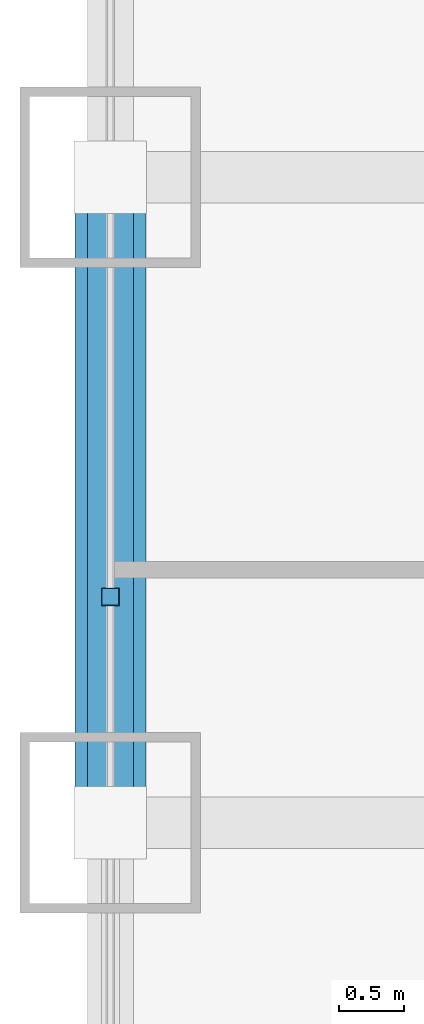
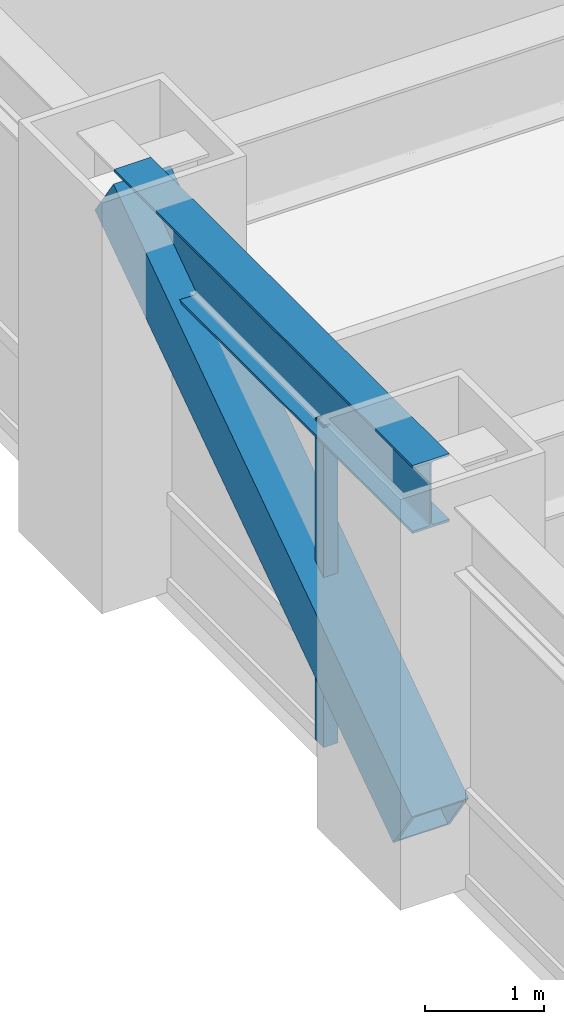
# One storey, part 6 of 28: 2 members, 1 beam, 1 element without a shape of its own.
"""IFC4 building model written with IfcOpenShell, lengths in metres."""

import ifcopenshell
import ifcopenshell.guid

model = None  # the IFC model being written
_history = None  # IfcOwnerHistory: only IFC2X3 demands one
_inside = {}  # id of a spatial element -> (the spatial element, [elements in it])
_under = {}  # id of a project, library or spatial element -> (it, [spatial elements below it])
_declared = {}  # id of a project -> (the project, [libraries it declares])
_typed = {}  # id of a type object -> (the type object, [elements of that type])
_made_of = {}  # id of a material, layer set ... -> (it, [elements and type objects made of it])


def new_model(schema):
    """Start an empty IFC model of exactly this schema.

    Asked for "IFC4X3", IfcOpenShell would pick the latest addendum, in which some entities
    have other attributes; the version numbers below select the first issue.
    IFC2X3 requires an IfcOwnerHistory on every rooted entity: one is made here for all.
    """
    global model, _history
    if schema == "IFC4X3":
        model = ifcopenshell.file(schema_version=(4, 3, 0, 0))
    else:
        model = ifcopenshell.file(schema=schema)
    _inside.clear()
    _under.clear()
    _declared.clear()
    _typed.clear()
    _made_of.clear()
    _history = None
    if model.schema == "IFC2X3":
        org = make("IfcOrganization", Name="unknown")
        user = make(
            "IfcPersonAndOrganization",
            ThePerson=make("IfcPerson", FamilyName="unknown"),
            TheOrganization=org,
        )
        app = make(
            "IfcApplication",
            ApplicationDeveloper=org,
            Version="unknown",
            ApplicationFullName="unknown",
            ApplicationIdentifier="unknown",
        )
        _history = make(
            "IfcOwnerHistory",
            OwningUser=user,
            OwningApplication=app,
            ChangeAction="ADDED",
            CreationDate=0,
        )
    return model


def make(cls, **values):
    """One entity of the class cls with the attributes given. An attribute that is None is left unset."""
    return model.create_entity(
        cls, **{name: value for name, value in values.items() if value is not None}
    )


def rooted(cls, **values):
    """An entity with a GlobalId (a new one), such as an element, a storey or a relation."""
    return make(cls, GlobalId=ifcopenshell.guid.new(), OwnerHistory=_history, **values)


def si_unit(unit_type, name, prefix=None):
    """IfcSIUnit, for example si_unit("LENGTHUNIT", "METRE", prefix="MILLI")."""
    return make("IfcSIUnit", UnitType=unit_type, Prefix=prefix, Name=name)


def assignment(units):
    """IfcUnitAssignment: the units of a project."""
    return None if units is None else make("IfcUnitAssignment", Units=units)


def point(xyz):
    """IfcCartesianPoint."""
    return None if xyz is None else make("IfcCartesianPoint", Coordinates=xyz)


def direction(xyz):
    """IfcDirection."""
    return None if xyz is None else make("IfcDirection", DirectionRatios=xyz)


def frame(location, z_axis=None, x_axis=None):
    """IfcAxis2Placement3D, a coordinate frame: its origin and axes. An axis left out is left unset."""
    return make(
        "IfcAxis2Placement3D",
        Location=point(location),
        Axis=direction(z_axis),
        RefDirection=direction(x_axis),
    )


def frame_2d(location, x_axis=None):
    """IfcAxis2Placement2D, a coordinate frame in the plane: its origin and x axis."""
    return make(
        "IfcAxis2Placement2D", Location=point(location), RefDirection=direction(x_axis)
    )


def origin():
    """The frame at (0, 0, 0) with its axes left unset."""
    return frame((0.0, 0.0, 0.0))


def origin_2d():
    """The frame at (0, 0) in the plane with its x axis left unset."""
    return frame_2d((0.0, 0.0))


def place(relative_to, where):
    """IfcLocalPlacement: puts the frame where relative to a parent placement (None: the world)."""
    return make(
        "IfcLocalPlacement", PlacementRelTo=relative_to, RelativePlacement=where
    )


def context(
    kind, dimensions, precision=None, world=None, true_north=None, identifier=None
):
    """IfcGeometricRepresentationContext, for example the 3D "Model" context."""
    return make(
        "IfcGeometricRepresentationContext",
        ContextIdentifier=identifier,
        ContextType=kind,
        CoordinateSpaceDimension=dimensions,
        Precision=precision,
        WorldCoordinateSystem=world,
        TrueNorth=true_north,
    )


def subcontext(parent, identifier, kind, view, scale=None):
    """IfcGeometricRepresentationSubContext, for example "Body" below "Model"."""
    return make(
        "IfcGeometricRepresentationSubContext",
        ContextIdentifier=identifier,
        ContextType=kind,
        ParentContext=parent,
        TargetScale=scale,
        TargetView=view,
    )


def project(units=None, contexts=None):
    """IfcProject with its units and contexts."""
    return rooted(
        "IfcProject",
        Name="project",
        RepresentationContexts=contexts,
        UnitsInContext=assignment(units),
    )


def spatial(cls, under=None, at=None, **own):
    """A site, building, storey or space (cls), placed at a placement, below another one or the project."""
    s = rooted(cls, ObjectPlacement=at, **own)
    if under is not None:
        _under.setdefault(under.id(), (under, []))[1].append(s)
    return s


def profile(cls, at=None, kind="AREA", **sizes):
    """A parametric profile (cls). Its sizes go by their IFC names, for example OverallWidth=200.0."""
    return make(cls, ProfileType=kind, Position=at, **sizes)


def hollow_rectangle(**sizes):
    """IfcRectangleHollowProfileDef."""
    return profile("IfcRectangleHollowProfileDef", **sizes)


def i_section(**sizes):
    """IfcIShapeProfileDef."""
    return profile("IfcIShapeProfileDef", **sizes)


def extrude(swept, where, along, depth):
    """IfcExtrudedAreaSolid: the profile swept, set in the frame where, extruded along a direction by depth."""
    return make(
        "IfcExtrudedAreaSolid",
        SweptArea=swept,
        Position=where,
        ExtrudedDirection=direction(along),
        Depth=depth,
    )


def shape(context_of_items, identifier, shape_type, items):
    """IfcShapeRepresentation: the items that make up one representation, for example the "Body"."""
    return make(
        "IfcShapeRepresentation",
        ContextOfItems=context_of_items,
        RepresentationIdentifier=identifier,
        RepresentationType=shape_type,
        Items=items,
    )


def source(mapping_origin, context_of_items, identifier, shape_type, items):
    """IfcRepresentationMap: a shape defined once, which mapped items show again and again."""
    return make(
        "IfcRepresentationMap",
        MappingOrigin=mapping_origin,
        MappedRepresentation=shape(context_of_items, identifier, shape_type, items),
    )


def transform(
    local_origin,
    x_axis=None,
    y_axis=None,
    z_axis=None,
    scale=None,
    scale2=None,
    scale3=None,
    uniform=True,
):
    """IfcCartesianTransformationOperator3D, or its non-uniform kind. x_axis, y_axis, z_axis: its Axis1, 2, 3."""
    if uniform:
        return make(
            "IfcCartesianTransformationOperator3D",
            Axis1=direction(x_axis),
            Axis2=direction(y_axis),
            LocalOrigin=point(local_origin),
            Scale=scale,
            Axis3=direction(z_axis),
        )
    return make(
        "IfcCartesianTransformationOperator3DnonUniform",
        Axis1=direction(x_axis),
        Axis2=direction(y_axis),
        LocalOrigin=point(local_origin),
        Scale=scale,
        Axis3=direction(z_axis),
        Scale2=scale2,
        Scale3=scale3,
    )


def mapped(mapping_source, mapping_target):
    """IfcMappedItem: shows the shape of a source again, moved by a transform."""
    return make(
        "IfcMappedItem", MappingSource=mapping_source, MappingTarget=mapping_target
    )


def material(Name=None, Category=None):
    """IfcMaterial."""
    return make("IfcMaterial", Name=Name, Category=Category)


def material_profile(
    of_material, cross_section, Name=None, Category=None, Priority=None
):
    """IfcMaterialProfile: a cross section and its material."""
    return make(
        "IfcMaterialProfile",
        Name=Name,
        Material=of_material,
        Profile=cross_section,
        Priority=Priority,
        Category=Category,
    )


def profile_set(profiles, Name=None, composite=None):
    """IfcMaterialProfileSet."""
    return make(
        "IfcMaterialProfileSet",
        Name=Name,
        MaterialProfiles=profiles,
        CompositeProfile=composite,
    )


def made_of(thing, what):
    """Note that an element or type object is made of a material, layer set ...; save() writes the relation."""
    if what is not None:
        _made_of.setdefault(what.id(), (what, []))[1].append(thing)
    return thing


def type_object(cls, material=None, **own):
    """A type object (cls), such as IfcWallType, which elements share."""
    return made_of(rooted(cls, **own), material)


def element(
    cls,
    number,
    at=None,
    inside=None,
    cuts=None,
    type_object=None,
    material=None,
    context=None,
    identifier="Body",
    shape_type=None,
    held_by="IfcProductDefinitionShape",
    body=None,
    shapes=None,
    **own,
):
    """One element of the class cls, such as IfcWall. Its Tag is "e" and its number.

    at: its placement. inside: the storey or other place that contains it. cuts: it is an
    opening in that element (IfcRelVoidsElement). A single representation is given by context,
    identifier, shape_type and body (its items); several are given by shapes. held_by: the class
    of the entity that holds the representations. save() writes the other relations.
    """
    e = rooted(cls, Tag="e%d" % number, ObjectPlacement=at, **own)
    if body is not None:
        shapes = [shape(context, identifier, shape_type, body)]
    if shapes is not None:
        e.Representation = make(held_by, Representations=shapes)
    if inside is not None:
        _inside.setdefault(inside.id(), (inside, []))[1].append(e)
    if cuts is not None:
        rooted(
            "IfcRelVoidsElement", RelatingBuildingElement=cuts, RelatedOpeningElement=e
        )
    if type_object is not None:
        _typed.setdefault(type_object.id(), (type_object, []))[1].append(e)
    return made_of(e, material)


def aggregate(whole, parts):
    """IfcRelAggregates: a whole, such as a stair, and the parts it consists of."""
    return rooted("IfcRelAggregates", RelatingObject=whole, RelatedObjects=parts)


def save(model, path):
    """Write the relations noted so far, then the file.

    IfcRelAggregates (storeys below a building ...), IfcRelContainedInSpatialStructure (elements
    in a storey), IfcRelDefinesByType, IfcRelAssociatesMaterial and IfcRelDeclares: one each for
    every whole, place, type object, material and project.
    """
    for whole, parts in _under.values():
        aggregate(whole, parts)
    for where, things in _inside.values():
        rooted(
            "IfcRelContainedInSpatialStructure",
            RelatedElements=things,
            RelatingStructure=where,
        )
    for kind, things in _typed.values():
        rooted("IfcRelDefinesByType", RelatedObjects=things, RelatingType=kind)
    for what, things in _made_of.values():
        rooted("IfcRelAssociatesMaterial", RelatedObjects=things, RelatingMaterial=what)
    for by, libraries in _declared.values():
        rooted("IfcRelDeclares", RelatingContext=by, RelatedDefinitions=libraries)
    model.write(path)


model = new_model("IFC4")

# Units and contexts
model_context = context("Model", 3, precision=1e-05, world=origin(), true_north=direction((0.0, 1.0)))
body_context = subcontext(model_context, "Body", "Model", "MODEL_VIEW")
ifc_project = project(units=[si_unit("LENGTHUNIT", "METRE"), si_unit("AREAUNIT", "SQUARE_METRE"), si_unit("VOLUMEUNIT", "CUBIC_METRE"), si_unit("PLANEANGLEUNIT", "RADIAN"), si_unit("MASSUNIT", "GRAM", prefix="KILO")], contexts=[model_context])

# Site, building, storey
site_placement = place(None, origin())
site = spatial("IfcSite", under=ifc_project, at=site_placement, CompositionType="ELEMENT")
building_placement = place(site_placement, origin())
building = spatial("IfcBuilding", under=site, at=building_placement, Name="Khorayat Bourse Tower", CompositionType="ELEMENT")
storey_placement = place(building_placement, frame((0.0, 0.0, 66.199951171875)))
storey = spatial("IfcBuildingStorey", under=building, at=storey_placement, Name="L14", CompositionType="ELEMENT", Elevation=66.199951171875)

# Beam
ifc_material_1 = material(Name="Steel ASTM A992 Grade 50", Category="steel")
ifc_material_profile_1 = material_profile(ifc_material_1, i_section(OverallWidth=0.35498046875, OverallDepth=0.695068359375, WebThickness=0.015380859375, FlangeThickness=0.02490234375, FilletRadius=0.01806640625, at=origin_2d()), Name="W690X217")
ifc_profile_set_1 = profile_set([ifc_material_profile_1], Name="Steel ASTM A992 Grade 50")
beam_type = type_object("IfcBeamType", Name="BM-SPAN-690", PredefinedType="SPANDREL", material=ifc_profile_set_1)
shared_shape_1 = source(origin(), body_context, "Body", "SweptSolid", [
    extrude(i_section(OverallWidth=0.35498046875, OverallDepth=0.695068359375, WebThickness=0.015380859375, FlangeThickness=0.02490234375, FilletRadius=0.01806640625, at=origin_2d()), origin(), (0.0, 0.0, 1.0), 5.0),
])
beam_placement = place(storey_placement, frame((-32.0, -11.0, 3.592529296875), z_axis=(0.0, 1.0, 0.0), x_axis=(-1.0, 0.0, 0.0)))
element("IfcBeam", 1, at=beam_placement, inside=storey, type_object=beam_type, Name="L14 BM-SPAN-690 BM-L14-SPN-059", PredefinedType="SPANDREL", context=body_context, shape_type="MappedRepresentation", body=[
    mapped(shared_shape_1, transform((0.0, 0.0, 0.0), scale=1.0)),
])

# Member
ifc_material_2 = material(Name="Steel EN 10025-4 S460M", Category="steel")
ifc_material_profile_2 = material_profile(ifc_material_2, hollow_rectangle(XDim=0.550048828125, YDim=0.550048828125, WallThickness=0.031982421875, at=origin_2d()), Name="HSS 550x550x32")
ifc_profile_set_2 = profile_set([ifc_material_profile_2], Name="Steel EN 10025-4 S460M")
member_type_1 = type_object("IfcMemberType", Name="MBR-TUBE-550", PredefinedType="BRACE", material=ifc_profile_set_2)
shared_shape_2 = source(origin(), body_context, "Body", "SweptSolid", [
    extrude(hollow_rectangle(XDim=0.550048828125, YDim=0.550048828125, WallThickness=0.031982421875, at=origin_2d()), origin(), (0.0, 0.0, 1.0), 6.069091796875),
])
member_1_placement = place(storey_placement, frame((-32.0, -11.0, 0.25), z_axis=(0.0, 0.823854080622, 0.566801952928), x_axis=(-1.0, 0.0, 0.0)))
element("IfcMember", 2, at=member_1_placement, inside=storey, type_object=member_type_1, Name="L14 Perimeter Tube Brace 05", PredefinedType="BRACE", context=body_context, shape_type="MappedRepresentation", body=[
    mapped(shared_shape_2, transform((0.0, 0.0, 0.0), scale=1.0)),
])

# Curtain wall, member
ifc_material_3 = material(Name="Aluminium EN AW-6063 T6", Category="aluminium")
curtain_wall_type = type_object("IfcCurtainWallType", Name="CW-SYS-02", PredefinedType="NOTDEFINED", material=ifc_material_3)
curtain_wall_placement = place(storey_placement, origin())
curtain_wall = element("IfcCurtainWall", 3, at=curtain_wall_placement, inside=storey, type_object=curtain_wall_type, Name="L14 Curtain Wall CW-L14-W1", PredefinedType="NOTDEFINED")
ifc_material_profile_3 = material_profile(ifc_material_3, hollow_rectangle(XDim=0.139892578125, YDim=0.139892578125, WallThickness=0.006103515625, at=origin_2d()), Name="ALU 140x140x6")
ifc_profile_set_3 = profile_set([ifc_material_profile_3], Name="Aluminium EN AW-6063 T6")
member_type_2 = type_object("IfcMemberType", Name="CWM-VERT-140", PredefinedType="MULLION", material=ifc_profile_set_3)
shared_shape_3 = source(origin(), body_context, "Body", "SweptSolid", [
    extrude(hollow_rectangle(XDim=0.139892578125, YDim=0.139892578125, WallThickness=0.006103515625, at=origin_2d()), origin(), (0.0, 0.0, 1.0), 3.2900390625),
])
member_2_placement = place(storey_placement, frame((-32.0, -9.25, 0.0), z_axis=(0.0, 0.0, 1.0), x_axis=(-1.0, 0.0, 0.0)))
member_2 = element("IfcMember", 4, at=member_2_placement, type_object=member_type_2, Name="CW-L14-W1 Vertical Mullion 2", PredefinedType="MULLION", context=body_context, shape_type="MappedRepresentation", body=[
    mapped(shared_shape_3, transform((0.0, 0.0, 0.0), scale=1.0)),
])
aggregate(curtain_wall, [member_2])

save(model, "model.ifc")
